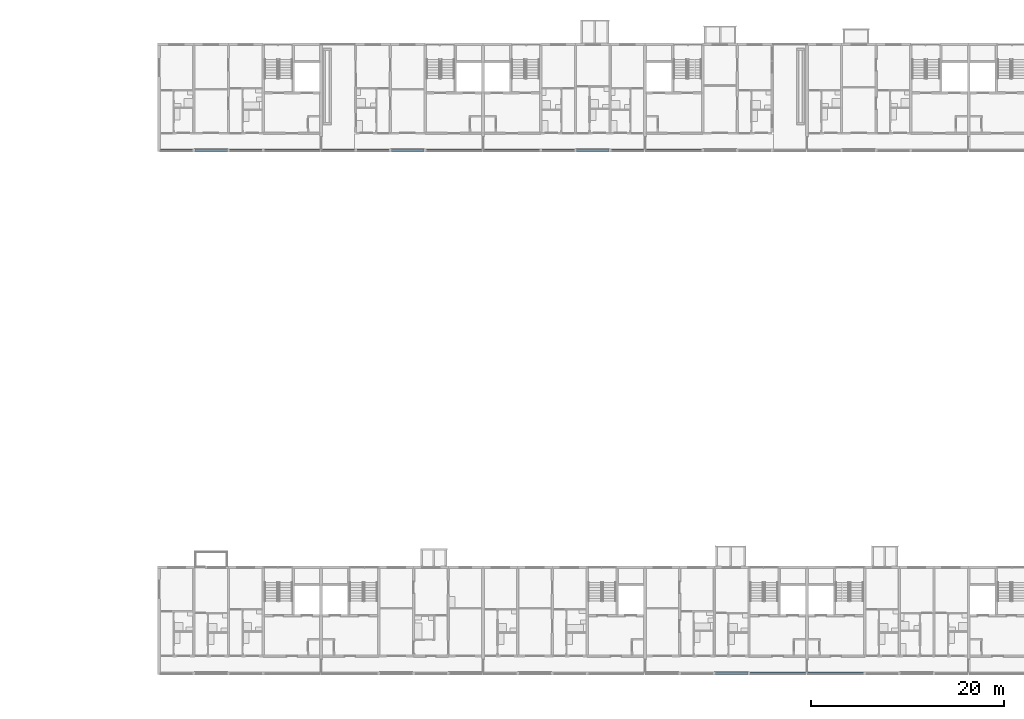
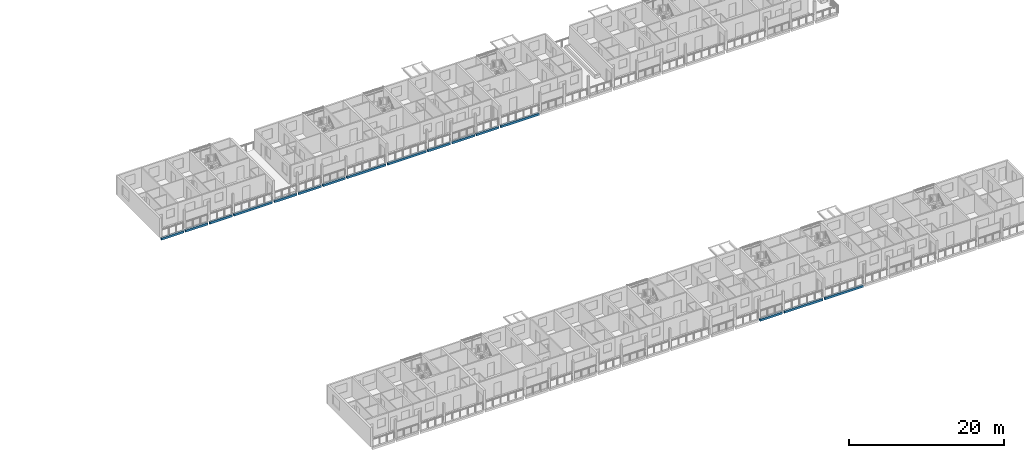
# One storey, part 16 of 94: 16 beams.
"""IFC4 building model written with IfcOpenShell, lengths in metres."""

from ifc_helpers import new_model, si_unit, direction, frame, origin, origin_2d, place, context, subcontext, project, spatial, rectangle, extrude, material, material_profile, profile_set, type_object, element, save


model = new_model("IFC4")

# Units and contexts
model_context = context("Model", 3, precision=1e-05, world=origin(), true_north=direction((0.0, 1.0)))
body_context = subcontext(model_context, "Body", "Model", "MODEL_VIEW")
ifc_project = project(units=[si_unit("LENGTHUNIT", "METRE"), si_unit("AREAUNIT", "SQUARE_METRE"), si_unit("VOLUMEUNIT", "CUBIC_METRE"), si_unit("PLANEANGLEUNIT", "RADIAN"), si_unit("MASSUNIT", "GRAM", prefix="KILO")], contexts=[model_context])

# Site, building, storey
site_placement = place(None, origin())
site = spatial("IfcSite", under=ifc_project, at=site_placement, CompositionType="ELEMENT")
building_placement = place(site_placement, origin())
building = spatial("IfcBuilding", under=site, at=building_placement, Name="Ridgestep Commons", CompositionType="ELEMENT")
storey_placement = place(building_placement, frame((0.0, 0.0, 21.0)))
storey = spatial("IfcBuildingStorey", under=building, at=storey_placement, Name="L07", CompositionType="ELEMENT", Elevation=21.0)

# Beams
ifc_material = material(Name="Precast concrete C40/50", Category="concrete")
ifc_material_profile = material_profile(ifc_material, rectangle(XDim=0.25, YDim=0.35009765625, at=origin_2d()), Name="PC 250x350")
ifc_profile_set = profile_set([ifc_material_profile], Name="Precast concrete C40/50")
beam_type = type_object("IfcBeamType", Name="Loggia edge beam 250 x 350", PredefinedType="SPANDREL", material=ifc_profile_set)
beam_1_placement = place(storey_placement, frame((146.949951171875, 66.125, -0.375), z_axis=(1.0, 0.0, 0.0), x_axis=(0.0, 1.0, 0.0)))
element("IfcBeam", 1, at=beam_1_placement, inside=storey, type_object=beam_type, Name="Loggia edge beam C1T1 L07", PredefinedType="SPANDREL", context=body_context, shape_type="SweptSolid", body=[
    extrude(rectangle(XDim=0.25, YDim=0.35009765625, at=origin_2d()), origin(), (0.0, 0.0, 1.0), 3.324951171875),
])
for number, where, z_axis, x_axis, name in (
    (2, (150.52490234375, 66.125, -0.375), (1.0, 0.0, 0.0), (0.0, 1.0, 0.0), "Loggia edge beam C1T2 L07"),
    (3, (154.125, 66.125, -0.375), (1.0, 0.0, 0.0), (0.0, 1.0, 0.0), "Loggia edge beam C1T3 L07"),
):
    element("IfcBeam", number, at=place(storey_placement, frame(where, z_axis=z_axis, x_axis=x_axis)), inside=storey, type_object=beam_type, Name=name, PredefinedType="SPANDREL", context=body_context, shape_type="SweptSolid", body=[
        extrude(rectangle(XDim=0.25, YDim=0.35009765625, at=origin_2d()), origin(), (0.0, 0.0, 1.0), 3.35009765625),
    ])
beam_2_placement = place(storey_placement, frame((157.72509765625, 66.125, -0.375), z_axis=(1.0, 0.0, 0.0), x_axis=(0.0, 1.0, 0.0)))
element("IfcBeam", 4, at=beam_2_placement, inside=storey, type_object=beam_type, Name="Loggia edge beam C1C L07", PredefinedType="SPANDREL", context=body_context, shape_type="SweptSolid", body=[
    extrude(rectangle(XDim=0.25, YDim=0.35009765625, at=origin_2d()), origin(), (0.0, 0.0, 1.0), 5.724853515625),
])
beam_3_placement = place(storey_placement, frame((163.75, 66.125, -0.375), z_axis=(1.0, 0.0, 0.0), x_axis=(0.0, 1.0, 0.0)))
element("IfcBeam", 5, at=beam_3_placement, inside=storey, type_object=beam_type, Name="Loggia edge beam C2T1 L07", PredefinedType="SPANDREL", context=body_context, shape_type="SweptSolid", body=[
    extrude(rectangle(XDim=0.25, YDim=0.35009765625, at=origin_2d()), origin(), (0.0, 0.0, 1.0), 3.324951171875),
])
beam_4_placement = place(storey_placement, frame((167.324951171875, 66.125, -0.375), z_axis=(1.0, 0.0, 0.0), x_axis=(0.0, 1.0, 0.0)))
element("IfcBeam", 6, at=beam_4_placement, inside=storey, type_object=beam_type, Name="Loggia edge beam C2T2 L07", PredefinedType="SPANDREL", context=body_context, shape_type="SweptSolid", body=[
    extrude(rectangle(XDim=0.25, YDim=0.35009765625, at=origin_2d()), origin(), (0.0, 0.0, 1.0), 3.35009765625),
])
beam_5_placement = place(storey_placement, frame((170.925048828125, 66.125, -0.375), z_axis=(1.0, 0.0, 0.0), x_axis=(0.0, 1.0, 0.0)))
element("IfcBeam", 7, at=beam_5_placement, inside=storey, type_object=beam_type, Name="Loggia edge beam C2T3 L07", PredefinedType="SPANDREL", context=body_context, shape_type="SweptSolid", body=[
    extrude(rectangle(XDim=0.25, YDim=0.35009765625, at=origin_2d()), origin(), (0.0, 0.0, 1.0), 3.349853515625),
])
beam_6_placement = place(storey_placement, frame((174.52490234375, 66.125, -0.375), z_axis=(1.0, 0.0, 0.0), x_axis=(0.0, 1.0, 0.0)))
element("IfcBeam", 8, at=beam_6_placement, inside=storey, type_object=beam_type, Name="Loggia edge beam C2C L07", PredefinedType="SPANDREL", context=body_context, shape_type="SweptSolid", body=[
    extrude(rectangle(XDim=0.25, YDim=0.35009765625, at=origin_2d()), origin(), (0.0, 0.0, 1.0), 5.72509765625),
])
beam_7_placement = place(storey_placement, frame((180.550048828125, 66.125, -0.375), z_axis=(1.0, 0.0, 0.0), x_axis=(0.0, 1.0, 0.0)))
element("IfcBeam", 9, at=beam_7_placement, inside=storey, type_object=beam_type, Name="Loggia edge beam C3C L07", PredefinedType="SPANDREL", context=body_context, shape_type="SweptSolid", body=[
    extrude(rectangle(XDim=0.25, YDim=0.35009765625, at=origin_2d()), origin(), (0.0, 0.0, 1.0), 5.724853515625),
])
for number, where, z_axis, x_axis, name in (
    (10, (186.52490234375, 66.125, -0.375), (1.0, 0.0, 0.0), (0.0, 1.0, 0.0), "Loggia edge beam C3T3 L07"),
    (11, (190.125, 66.125, -0.375), (1.0, 0.0, 0.0), (0.0, 1.0, 0.0), "Loggia edge beam C3T2 L07"),
):
    element("IfcBeam", number, at=place(storey_placement, frame(where, z_axis=z_axis, x_axis=x_axis)), inside=storey, type_object=beam_type, Name=name, PredefinedType="SPANDREL", context=body_context, shape_type="SweptSolid", body=[
        extrude(rectangle(XDim=0.25, YDim=0.35009765625, at=origin_2d()), origin(), (0.0, 0.0, 1.0), 3.35009765625),
    ])
beam_8_placement = place(storey_placement, frame((193.72509765625, 66.125, -0.375), z_axis=(1.0, 0.0, 0.0), x_axis=(0.0, 1.0, 0.0)))
element("IfcBeam", 12, at=beam_8_placement, inside=storey, type_object=beam_type, Name="Loggia edge beam C3T1 L07", PredefinedType="SPANDREL", context=body_context, shape_type="SweptSolid", body=[
    extrude(rectangle(XDim=0.25, YDim=0.35009765625, at=origin_2d()), origin(), (0.0, 0.0, 1.0), 3.324951171875),
])
beam_9_placement = place(storey_placement, frame((197.35009765625, 66.125, -0.375), z_axis=(1.0, 0.0, 0.0), x_axis=(0.0, 1.0, 0.0)))
element("IfcBeam", 13, at=beam_9_placement, inside=storey, type_object=beam_type, Name="Loggia edge beam C4C L07", PredefinedType="SPANDREL", context=body_context, shape_type="SweptSolid", body=[
    extrude(rectangle(XDim=0.25, YDim=0.35009765625, at=origin_2d()), origin(), (0.0, 0.0, 1.0), 5.724853515625),
])
beam_10_placement = place(storey_placement, frame((204.52490234375, 11.875, -0.375), z_axis=(1.0, 0.0, 0.0), x_axis=(0.0, 1.0, 0.0)))
element("IfcBeam", 14, at=beam_10_placement, inside=storey, type_object=beam_type, Name="Loggia edge beam D4T3 L07", PredefinedType="SPANDREL", context=body_context, shape_type="SweptSolid", body=[
    extrude(rectangle(XDim=0.25, YDim=0.35009765625, at=origin_2d()), origin(), (0.0, 0.0, 1.0), 3.35009765625),
])
for number, where, z_axis, x_axis, name in (
    (15, (208.125, 11.875, -0.375), (1.0, 0.0, 0.0), (0.0, 1.0, 0.0), "Loggia edge beam D4C L07"),
    (16, (214.14990234375, 11.875, -0.375), (1.0, 0.0, 0.0), (0.0, 1.0, 0.0), "Loggia edge beam D5C L07"),
):
    element("IfcBeam", number, at=place(storey_placement, frame(where, z_axis=z_axis, x_axis=x_axis)), inside=storey, type_object=beam_type, Name=name, PredefinedType="SPANDREL", context=body_context, shape_type="SweptSolid", body=[
        extrude(rectangle(XDim=0.25, YDim=0.35009765625, at=origin_2d()), origin(), (0.0, 0.0, 1.0), 5.72509765625),
    ])

save(model, "model.ifc")
